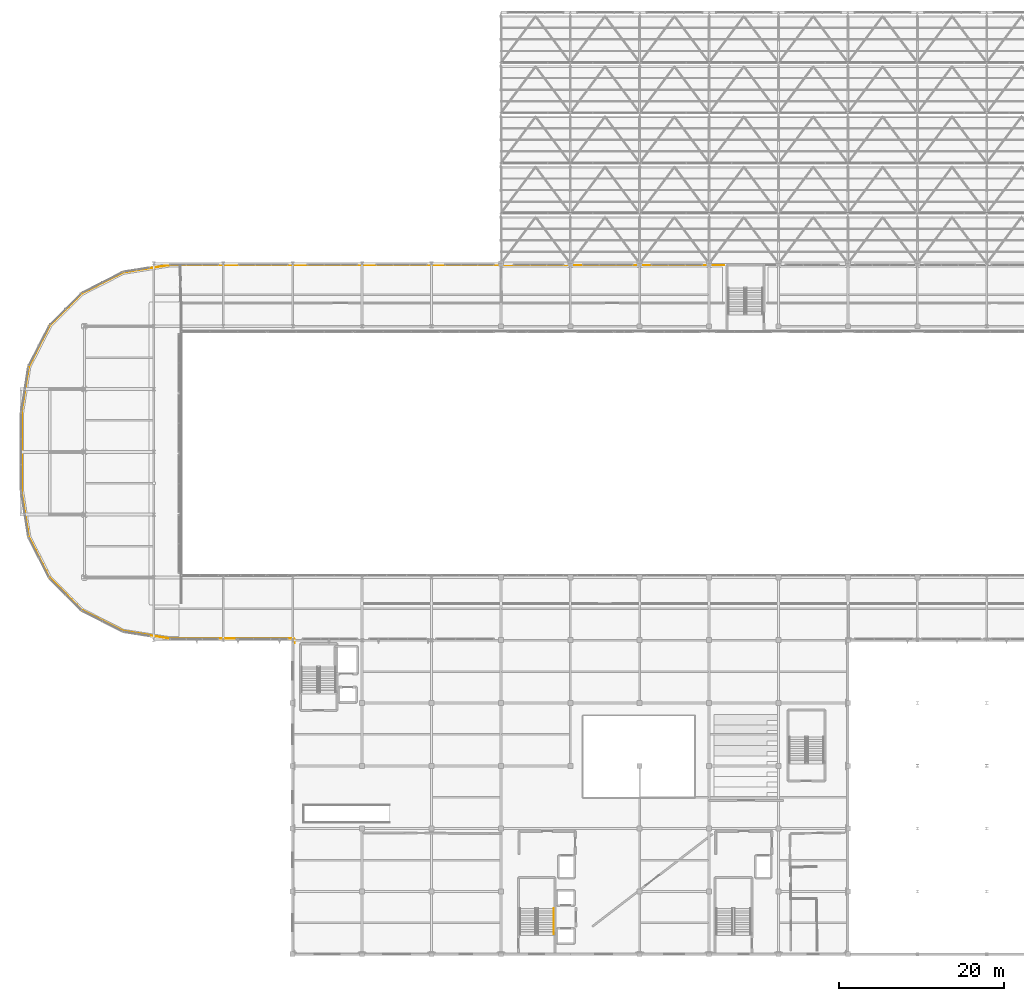
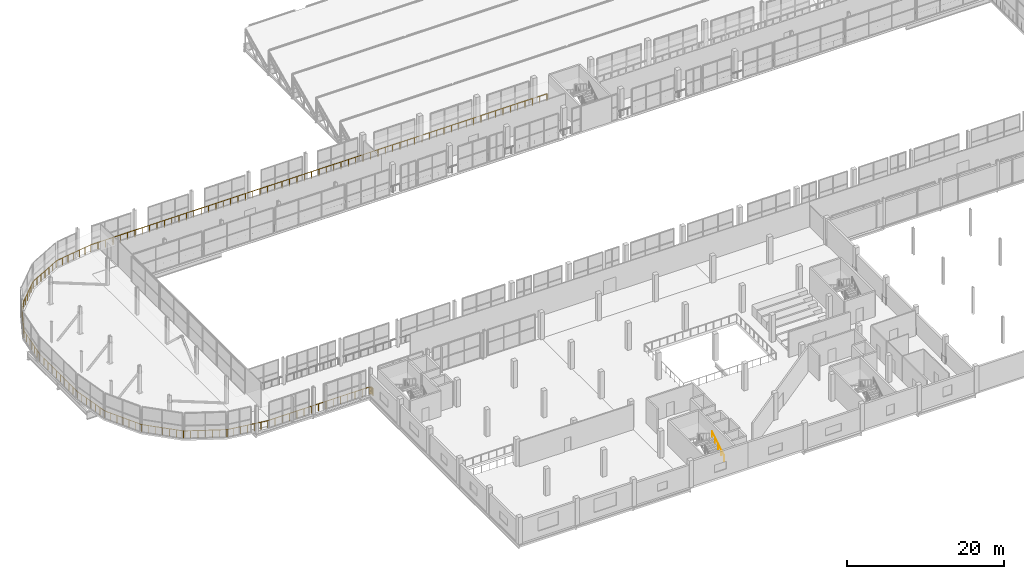
# One storey, part 207 of 217: 2 railings.
"""IFC4 building model written with IfcOpenShell, lengths in metres."""

from ifc_helpers import new_model, si_unit, direction, frame, origin, origin_2d, place, context, subcontext, project, spatial, circle, extrude, material, type_object, element, save


model = new_model("IFC4")

# Units and contexts
model_context = context("Model", 3, precision=1e-05, world=origin(), true_north=direction((0.0, 1.0)))
body_context = subcontext(model_context, "Body", "Model", "MODEL_VIEW")
ifc_project = project(units=[si_unit("LENGTHUNIT", "METRE"), si_unit("AREAUNIT", "SQUARE_METRE"), si_unit("VOLUMEUNIT", "CUBIC_METRE"), si_unit("PLANEANGLEUNIT", "RADIAN"), si_unit("MASSUNIT", "GRAM", prefix="KILO")], contexts=[model_context])

# Site, building, storey
site_placement = place(None, origin())
site = spatial("IfcSite", under=ifc_project, at=site_placement, CompositionType="ELEMENT")
building_placement = place(site_placement, origin())
building = spatial("IfcBuilding", under=site, at=building_placement, Name="Zuvorla Pavilion Media Centre", CompositionType="ELEMENT")
storey_placement = place(building_placement, frame((0.0, 0.0, 9.60009765625)))
storey = spatial("IfcBuildingStorey", under=building, at=storey_placement, Name="L02", CompositionType="ELEMENT", Elevation=9.60009765625)

# Railings
ifc_material_1 = material(Name="Powder-coated steel balustrade guard", Category="steel")
railing_type_1 = type_object("IfcRailingType", Name="RL-INT-GRD", PredefinedType="BALUSTRADE", material=ifc_material_1)
railing_1_placement = place(storey_placement, frame((41.820068359375, 43.67578125, 0.0)))
element("IfcRailing", 1, at=railing_1_placement, inside=storey, type_object=railing_type_1, Name="L02 slab edge guard 82", PredefinedType="BALUSTRADE", context=body_context, shape_type="SweptSolid", body=[
    extrude(circle(Radius=0.02392578125, at=origin_2d()), frame((0.0, 0.02880859375, 1.09619140625), z_axis=(0.0, 1.0, 0.0), x_axis=(-1.0, 0.0, 0.0)), (0.0, 0.0, 1.0), 0.2666015625),
    extrude(circle(Radius=0.02392578125, at=origin_2d()), frame((-0.000244140625, 0.327392578125, 1.09619140625), z_axis=(-0.056726690049, 0.998389744857, 0.0), x_axis=(-0.998389744857, -0.056726690049, 0.0)), (0.0, 0.0, 1.0), 0.02001953125),
    extrude(circle(Radius=0.02392578125, at=origin_2d()), frame((-0.001708984375, 0.348876953125, 1.09619140625), z_axis=(-0.135113204733, 0.990830168044, 0.0), x_axis=(-0.990830168044, -0.135113204733, 0.0)), (0.0, 0.0, 1.0), 0.02001953125),
    extrude(circle(Radius=0.02392578125, at=origin_2d()), frame((-0.0048828125, 0.370361328125, 1.09619140625), z_axis=(-0.247833249983, 0.968802704478, 0.0), x_axis=(-0.968802704478, -0.247833249983, 0.0)), (0.0, 0.0, 1.0), 0.02001953125),
    extrude(circle(Radius=0.02392578125, at=origin_2d()), frame((-0.0107421875, 0.39111328125, 1.09619140625), z_axis=(-0.339922884022, 0.940453312461, 0.0), x_axis=(-0.940453312461, -0.339922884022, 0.0)), (0.0, 0.0, 1.0), 0.02001953125),
    extrude(circle(Radius=0.02392578125, at=origin_2d()), frame((-0.018310546875, 0.411376953125, 1.09619140625), z_axis=(-0.429056814568, 0.903277504354, 0.0), x_axis=(-0.903277504354, -0.429056814568, 0.0)), (0.0, 0.0, 1.0), 0.02001953125),
    extrude(circle(Radius=0.02392578125, at=origin_2d()), frame((-0.02783203125, 0.4306640625, 1.09619140625), z_axis=(-0.509492006668, 0.860475389039, 0.0), x_axis=(-0.860475389039, -0.509492006668, 0.0)), (0.0, 0.0, 1.0), 0.02001953125),
    extrude(circle(Radius=0.02392578125, at=origin_2d()), frame((-0.0390625, 0.44921875, 1.09619140625), z_axis=(-0.598192606862, 0.801352360136, 0.0), x_axis=(-0.801352360136, -0.598192606862, 0.0)), (0.0, 0.0, 1.0), 0.02001953125),
    extrude(circle(Radius=0.02392578125, at=origin_2d()), frame((-0.05224609375, 0.46630859375, 1.09619140625), z_axis=(-0.672105592782, 0.740455314082, 0.0), x_axis=(-0.740455314082, -0.672105592782, 0.0)), (0.0, 0.0, 1.0), 0.02001953125),
    extrude(circle(Radius=0.02392578125, at=origin_2d()), frame((-0.06689453125, 0.48193359375, 1.09619140625), z_axis=(-0.739940073396, 0.672672793996, 0.0), x_axis=(-0.672672793996, -0.739940073396, 0.0)), (0.0, 0.0, 1.0), 0.02001953125),
    extrude(circle(Radius=0.02392578125, at=origin_2d()), frame((-0.083251953125, 0.496337890625, 1.09619140625), z_axis=(-0.806766093747, 0.590870941899, 0.0), x_axis=(-0.590870941899, -0.806766093747, 0.0)), (0.0, 0.0, 1.0), 0.02001953125),
    extrude(circle(Radius=0.02392578125, at=origin_2d()), frame((-0.1005859375, 0.5087890625, 1.09619140625), z_axis=(-0.855500079018, 0.517802679406, 0.0), x_axis=(-0.517802679406, -0.855500079018, 0.0)), (0.0, 0.0, 1.0), 0.02001953125),
    extrude(circle(Radius=0.02392578125, at=origin_2d()), frame((-0.119384765625, 0.519775390625, 1.09619140625), z_axis=(-0.903277504354, 0.429056814568, 0.0), x_axis=(-0.429056814568, -0.903277504354, 0.0)), (0.0, 0.0, 1.0), 0.02001953125),
    extrude(circle(Radius=0.02392578125, at=origin_2d()), frame((-0.138916015625, 0.528564453125, 1.09619140625), z_axis=(-0.94403554212, 0.329843743632, 0.0), x_axis=(-0.329843743632, -0.94403554212, 0.0)), (0.0, 0.0, 1.0), 0.02001953125),
    extrude(circle(Radius=0.02392578125, at=origin_2d()), frame((-0.159423828125, 0.535400390625, 1.09619140625), z_axis=(-0.968802704478, 0.247833249983, 0.0), x_axis=(-0.247833249983, -0.968802704478, 0.0)), (0.0, 0.0, 1.0), 0.02001953125),
    extrude(circle(Radius=0.02392578125, at=origin_2d()), frame((-0.180419921875, 0.54052734375, 1.09619140625), z_axis=(-0.989019580795, 0.147784535061, 0.0), x_axis=(-0.147784535061, -0.989019580795, 0.0)), (0.0, 0.0, 1.0), 0.02001953125),
    extrude(circle(Radius=0.02392578125, at=origin_2d()), frame((-0.20166015625, 0.54345703125, 1.09619140625), z_axis=(-0.99896854021, 0.045407660919, 0.0), x_axis=(-0.045407660919, -0.99896854021, 0.0)), (0.0, 0.0, 1.0), 0.02001953125),
    extrude(circle(Radius=0.02392578125, at=origin_2d()), frame((-0.248779296875, 0.544189453125, 1.09619140625), z_axis=(-1.0, 0.0, 0.0), x_axis=(0.0, -1.0, 0.0)), (0.0, 0.0, 1.0), 14.92529296875),
    extrude(circle(Radius=0.02392578125, at=origin_2d()), frame((-15.2314453125, 0.548583984375, 1.09619140625), z_axis=(-0.987688702887, 0.156432177602, 0.0), x_axis=(-0.156432177602, -0.987688702887, 0.0)), (0.0, 0.0, 1.0), 5.521728515625),
    extrude(circle(Radius=0.02392578125, at=origin_2d()), frame((-20.7392578125, 1.43017578125, 1.09619140625), z_axis=(-0.890994939299, 0.454013235647, 0.0), x_axis=(-0.454013235647, -0.890994939299, 0.0)), (0.0, 0.0, 1.0), 5.504150390625),
    extrude(circle(Radius=0.02392578125, at=origin_2d()), frame((-25.689697265625, 3.962646484375, 1.09619140625), z_axis=(-0.707106781187, 0.707106781187, 0.0), x_axis=(-0.707106781187, -0.707106781187, 0.0)), (0.0, 0.0, 1.0), 5.504150390625),
    extrude(circle(Radius=0.02392578125, at=origin_2d()), frame((-29.615234375, 7.900634765625, 1.09619140625), z_axis=(-0.453995479409, 0.891003986902, 0.0), x_axis=(-0.891003986902, -0.453995479409, 0.0)), (0.0, 0.0, 1.0), 5.50439453125),
    extrude(circle(Radius=0.02392578125, at=origin_2d()), frame((-32.131591796875, 12.859375, 1.09619140625), z_axis=(-0.156432177602, 0.987688702887, 0.0), x_axis=(-0.987688702887, -0.156432177602, 0.0)), (0.0, 0.0, 1.0), 5.521728515625),
    extrude(circle(Radius=0.02392578125, at=origin_2d()), frame((-33.0, 18.370361328125, 1.09619140625), z_axis=(0.0, 1.0, 0.0), x_axis=(-1.0, 0.0, 0.0)), (0.0, 0.0, 1.0), 9.5078125),
    extrude(circle(Radius=0.02392578125, at=origin_2d()), frame((-32.99560546875, 27.935546875, 1.09619140625), z_axis=(0.156432177602, 0.987688702887, 0.0), x_axis=(-0.987688702887, 0.156432177602, 0.0)), (0.0, 0.0, 1.0), 5.521728515625),
    extrude(circle(Radius=0.02392578125, at=origin_2d()), frame((-32.114013671875, 33.443359375, 1.09619140625), z_axis=(0.453995479409, 0.891003986902, 0.0), x_axis=(-0.891003986902, 0.453995479409, 0.0)), (0.0, 0.0, 1.0), 5.50439453125),
    extrude(circle(Radius=0.02392578125, at=origin_2d()), frame((-29.58154296875, 38.39404296875, 1.09619140625), z_axis=(0.707106781187, 0.707106781187, 0.0), x_axis=(-0.707106781187, 0.707106781187, 0.0)), (0.0, 0.0, 1.0), 5.504150390625),
    extrude(circle(Radius=0.02392578125, at=origin_2d()), frame((-25.6435546875, 42.319580078125, 1.09619140625), z_axis=(0.891012695814, 0.453978387039, 0.0), x_axis=(-0.453978387039, 0.891012695814, 0.0)), (0.0, 0.0, 1.0), 5.50390625),
    extrude(circle(Radius=0.02392578125, at=origin_2d()), frame((-20.68505859375, 44.835693359375, 1.09619140625), z_axis=(0.987688702887, 0.156432177602, 0.0), x_axis=(-0.156432177602, 0.987688702887, 0.0)), (0.0, 0.0, 1.0), 5.521728515625),
    extrude(circle(Radius=0.02392578125, at=origin_2d()), frame((-15.174072265625, 45.7041015625, 1.09619140625), z_axis=(1.0, 0.0, 0.0), x_axis=(0.0, 1.0, 0.0)), (0.0, 0.0, 1.0), 67.165283203125),
    extrude(circle(Radius=0.02099609375, at=origin_2d()), origin(), (0.0, 0.0, 1.0), 1.070068359375),
    extrude(circle(Radius=0.02099609375, at=origin_2d()), frame((0.0, 0.32421875, 0.0)), (0.0, 0.0, 1.0), 1.070068359375),
    extrude(circle(Radius=0.02099609375, at=origin_2d()), frame((-0.001220703125, 0.345703125, 0.0)), (0.0, 0.0, 1.0), 1.070068359375),
    extrude(circle(Radius=0.02099609375, at=origin_2d()), frame((-0.004150390625, 0.3671875, 0.0)), (0.0, 0.0, 1.0), 1.070068359375),
    extrude(circle(Radius=0.02099609375, at=origin_2d()), frame((-0.009521484375, 0.38818359375, 0.0)), (0.0, 0.0, 1.0), 1.070068359375),
    extrude(circle(Radius=0.02099609375, at=origin_2d()), frame((-0.016845703125, 0.408447265625, 0.0)), (0.0, 0.0, 1.0), 1.070068359375),
    extrude(circle(Radius=0.02099609375, at=origin_2d()), frame((-0.026123046875, 0.427978515625, 0.0)), (0.0, 0.0, 1.0), 1.070068359375),
    extrude(circle(Radius=0.02099609375, at=origin_2d()), frame((-0.037109375, 0.446533203125, 0.0)), (0.0, 0.0, 1.0), 1.070068359375),
    extrude(circle(Radius=0.02099609375, at=origin_2d()), frame((-0.050048828125, 0.4638671875, 0.0)), (0.0, 0.0, 1.0), 1.070068359375),
    extrude(circle(Radius=0.02099609375, at=origin_2d()), frame((-0.064453125, 0.479736328125, 0.0)), (0.0, 0.0, 1.0), 1.070068359375),
    extrude(circle(Radius=0.02099609375, at=origin_2d()), frame((-0.08056640625, 0.494384765625, 0.0)), (0.0, 0.0, 1.0), 1.070068359375),
    extrude(circle(Radius=0.02099609375, at=origin_2d()), frame((-0.097900390625, 0.507080078125, 0.0)), (0.0, 0.0, 1.0), 1.070068359375),
    extrude(circle(Radius=0.02099609375, at=origin_2d()), frame((-0.116455078125, 0.518310546875, 0.0)), (0.0, 0.0, 1.0), 1.070068359375),
    extrude(circle(Radius=0.02099609375, at=origin_2d()), frame((-0.135986328125, 0.527587890625, 0.0)), (0.0, 0.0, 1.0), 1.070068359375),
    extrude(circle(Radius=0.02099609375, at=origin_2d()), frame((-0.15625, 0.53466796875, 0.0)), (0.0, 0.0, 1.0), 1.070068359375),
    extrude(circle(Radius=0.02099609375, at=origin_2d()), frame((-0.17724609375, 0.5400390625, 0.0)), (0.0, 0.0, 1.0), 1.070068359375),
    extrude(circle(Radius=0.02099609375, at=origin_2d()), frame((-0.198486328125, 0.543212890625, 0.0)), (0.0, 0.0, 1.0), 1.070068359375),
    extrude(circle(Radius=0.02099609375, at=origin_2d()), frame((-0.219970703125, 0.544189453125, 0.0)), (0.0, 0.0, 1.0), 1.070068359375),
    extrude(circle(Radius=0.02099609375, at=origin_2d()), frame((-1.290283203125, 0.544189453125, 0.0)), (0.0, 0.0, 1.0), 1.070068359375),
    extrude(circle(Radius=0.02099609375, at=origin_2d()), frame((-2.3603515625, 0.544189453125, 0.0)), (0.0, 0.0, 1.0), 1.070068359375),
    extrude(circle(Radius=0.02099609375, at=origin_2d()), frame((-3.4306640625, 0.544189453125, 0.0)), (0.0, 0.0, 1.0), 1.070068359375),
    extrude(circle(Radius=0.02099609375, at=origin_2d()), frame((-4.500732421875, 0.544189453125, 0.0)), (0.0, 0.0, 1.0), 1.070068359375),
    extrude(circle(Radius=0.02099609375, at=origin_2d()), frame((-5.571044921875, 0.544189453125, 0.0)), (0.0, 0.0, 1.0), 1.070068359375),
    extrude(circle(Radius=0.02099609375, at=origin_2d()), frame((-6.64111328125, 0.544189453125, 0.0)), (0.0, 0.0, 1.0), 1.070068359375),
    extrude(circle(Radius=0.02099609375, at=origin_2d()), frame((-7.71142578125, 0.544189453125, 0.0)), (0.0, 0.0, 1.0), 1.070068359375),
    extrude(circle(Radius=0.02099609375, at=origin_2d()), frame((-8.78173828125, 0.544189453125, 0.0)), (0.0, 0.0, 1.0), 1.070068359375),
    extrude(circle(Radius=0.02099609375, at=origin_2d()), frame((-9.851806640625, 0.544189453125, 0.0)), (0.0, 0.0, 1.0), 1.070068359375),
    extrude(circle(Radius=0.02099609375, at=origin_2d()), frame((-10.922119140625, 0.544189453125, 0.0)), (0.0, 0.0, 1.0), 1.070068359375),
    extrude(circle(Radius=0.02099609375, at=origin_2d()), frame((-11.9921875, 0.544189453125, 0.0)), (0.0, 0.0, 1.0), 1.070068359375),
    extrude(circle(Radius=0.02099609375, at=origin_2d()), frame((-13.0625, 0.544189453125, 0.0)), (0.0, 0.0, 1.0), 1.070068359375),
    extrude(circle(Radius=0.02099609375, at=origin_2d()), frame((-14.132568359375, 0.544189453125, 0.0)), (0.0, 0.0, 1.0), 1.070068359375),
    extrude(circle(Radius=0.02099609375, at=origin_2d()), frame((-15.202880859375, 0.544189453125, 0.0)), (0.0, 0.0, 1.0), 1.070068359375),
    extrude(circle(Radius=0.02099609375, at=origin_2d()), frame((-16.121337890625, 0.689697265625, 0.0)), (0.0, 0.0, 1.0), 1.070068359375),
    extrude(circle(Radius=0.02099609375, at=origin_2d()), frame((-17.039794921875, 0.835205078125, 0.0)), (0.0, 0.0, 1.0), 1.070068359375),
    extrude(circle(Radius=0.02099609375, at=origin_2d()), frame((-17.958251953125, 0.98046875, 0.0)), (0.0, 0.0, 1.0), 1.070068359375),
    extrude(circle(Radius=0.02099609375, at=origin_2d()), frame((-18.876708984375, 1.1259765625, 0.0)), (0.0, 0.0, 1.0), 1.070068359375),
    extrude(circle(Radius=0.02099609375, at=origin_2d()), frame((-19.795166015625, 1.271484375, 0.0)), (0.0, 0.0, 1.0), 1.070068359375),
    extrude(circle(Radius=0.02099609375, at=origin_2d()), frame((-20.713623046875, 1.4169921875, 0.0)), (0.0, 0.0, 1.0), 1.070068359375),
    extrude(circle(Radius=0.02099609375, at=origin_2d()), frame((-21.53955078125, 1.837890625, 0.0)), (0.0, 0.0, 1.0), 1.070068359375),
    extrude(circle(Radius=0.02099609375, at=origin_2d()), frame((-22.365478515625, 2.2587890625, 0.0)), (0.0, 0.0, 1.0), 1.070068359375),
    extrude(circle(Radius=0.02099609375, at=origin_2d()), frame((-23.19140625, 2.6796875, 0.0)), (0.0, 0.0, 1.0), 1.070068359375),
    extrude(circle(Radius=0.02099609375, at=origin_2d()), frame((-24.017333984375, 3.100341796875, 0.0)), (0.0, 0.0, 1.0), 1.070068359375),
    extrude(circle(Radius=0.02099609375, at=origin_2d()), frame((-24.84326171875, 3.521240234375, 0.0)), (0.0, 0.0, 1.0), 1.070068359375),
    extrude(circle(Radius=0.02099609375, at=origin_2d()), frame((-25.669189453125, 3.942138671875, 0.0)), (0.0, 0.0, 1.0), 1.070068359375),
    extrude(circle(Radius=0.02099609375, at=origin_2d()), frame((-26.32470703125, 4.59765625, 0.0)), (0.0, 0.0, 1.0), 1.070068359375),
    extrude(circle(Radius=0.02099609375, at=origin_2d()), frame((-26.980224609375, 5.253173828125, 0.0)), (0.0, 0.0, 1.0), 1.070068359375),
    extrude(circle(Radius=0.02099609375, at=origin_2d()), frame((-27.6357421875, 5.90869140625, 0.0)), (0.0, 0.0, 1.0), 1.070068359375),
    extrude(circle(Radius=0.02099609375, at=origin_2d()), frame((-28.291015625, 6.56396484375, 0.0)), (0.0, 0.0, 1.0), 1.070068359375),
    extrude(circle(Radius=0.02099609375, at=origin_2d()), frame((-28.946533203125, 7.219482421875, 0.0)), (0.0, 0.0, 1.0), 1.070068359375),
    extrude(circle(Radius=0.02099609375, at=origin_2d()), frame((-29.60205078125, 7.875, 0.0)), (0.0, 0.0, 1.0), 1.070068359375),
    extrude(circle(Radius=0.02099609375, at=origin_2d()), frame((-30.02294921875, 8.700927734375, 0.0)), (0.0, 0.0, 1.0), 1.070068359375),
    extrude(circle(Radius=0.02099609375, at=origin_2d()), frame((-30.44384765625, 9.52685546875, 0.0)), (0.0, 0.0, 1.0), 1.070068359375),
    extrude(circle(Radius=0.02099609375, at=origin_2d()), frame((-30.86474609375, 10.35302734375, 0.0)), (0.0, 0.0, 1.0), 1.070068359375),
    extrude(circle(Radius=0.02099609375, at=origin_2d()), frame((-31.285400390625, 11.178955078125, 0.0)), (0.0, 0.0, 1.0), 1.070068359375),
    extrude(circle(Radius=0.02099609375, at=origin_2d()), frame((-31.706298828125, 12.0048828125, 0.0)), (0.0, 0.0, 1.0), 1.070068359375),
    extrude(circle(Radius=0.02099609375, at=origin_2d()), frame((-32.127197265625, 12.830810546875, 0.0)), (0.0, 0.0, 1.0), 1.070068359375),
    extrude(circle(Radius=0.02099609375, at=origin_2d()), frame((-32.272705078125, 13.749267578125, 0.0)), (0.0, 0.0, 1.0), 1.070068359375),
    extrude(circle(Radius=0.02099609375, at=origin_2d()), frame((-32.418212890625, 14.667724609375, 0.0)), (0.0, 0.0, 1.0), 1.070068359375),
    extrude(circle(Radius=0.02099609375, at=origin_2d()), frame((-32.5634765625, 15.586181640625, 0.0)), (0.0, 0.0, 1.0), 1.070068359375),
    extrude(circle(Radius=0.02099609375, at=origin_2d()), frame((-32.708984375, 16.504638671875, 0.0)), (0.0, 0.0, 1.0), 1.070068359375),
    extrude(circle(Radius=0.02099609375, at=origin_2d()), frame((-32.8544921875, 17.423095703125, 0.0)), (0.0, 0.0, 1.0), 1.070068359375),
    extrude(circle(Radius=0.02099609375, at=origin_2d()), frame((-33.0, 18.341552734375, 0.0)), (0.0, 0.0, 1.0), 1.070068359375),
    extrude(circle(Radius=0.02099609375, at=origin_2d()), frame((-33.0, 19.404296875, 0.0)), (0.0, 0.0, 1.0), 1.070068359375),
    extrude(circle(Radius=0.02099609375, at=origin_2d()), frame((-33.0, 20.46728515625, 0.0)), (0.0, 0.0, 1.0), 1.070068359375),
    extrude(circle(Radius=0.02099609375, at=origin_2d()), frame((-33.0, 21.530029296875, 0.0)), (0.0, 0.0, 1.0), 1.070068359375),
    extrude(circle(Radius=0.02099609375, at=origin_2d()), frame((-33.0, 22.5927734375, 0.0)), (0.0, 0.0, 1.0), 1.070068359375),
    extrude(circle(Radius=0.02099609375, at=origin_2d()), frame((-33.0, 23.65576171875, 0.0)), (0.0, 0.0, 1.0), 1.070068359375),
    extrude(circle(Radius=0.02099609375, at=origin_2d()), frame((-33.0, 24.718505859375, 0.0)), (0.0, 0.0, 1.0), 1.070068359375),
    extrude(circle(Radius=0.02099609375, at=origin_2d()), frame((-33.0, 25.78125, 0.0)), (0.0, 0.0, 1.0), 1.070068359375),
    extrude(circle(Radius=0.02099609375, at=origin_2d()), frame((-33.0, 26.84423828125, 0.0)), (0.0, 0.0, 1.0), 1.070068359375),
    extrude(circle(Radius=0.02099609375, at=origin_2d()), frame((-33.0, 27.906982421875, 0.0)), (0.0, 0.0, 1.0), 1.070068359375),
    extrude(circle(Radius=0.02099609375, at=origin_2d()), frame((-32.8544921875, 28.825439453125, 0.0)), (0.0, 0.0, 1.0), 1.070068359375),
    extrude(circle(Radius=0.02099609375, at=origin_2d()), frame((-32.708984375, 29.743896484375, 0.0)), (0.0, 0.0, 1.0), 1.070068359375),
    extrude(circle(Radius=0.02099609375, at=origin_2d()), frame((-32.5634765625, 30.662353515625, 0.0)), (0.0, 0.0, 1.0), 1.070068359375),
    extrude(circle(Radius=0.02099609375, at=origin_2d()), frame((-32.418212890625, 31.580810546875, 0.0)), (0.0, 0.0, 1.0), 1.070068359375),
    extrude(circle(Radius=0.02099609375, at=origin_2d()), frame((-32.272705078125, 32.499267578125, 0.0)), (0.0, 0.0, 1.0), 1.070068359375),
    extrude(circle(Radius=0.02099609375, at=origin_2d()), frame((-32.127197265625, 33.417724609375, 0.0)), (0.0, 0.0, 1.0), 1.070068359375),
    extrude(circle(Radius=0.02099609375, at=origin_2d()), frame((-31.706298828125, 34.24365234375, 0.0)), (0.0, 0.0, 1.0), 1.070068359375),
    extrude(circle(Radius=0.02099609375, at=origin_2d()), frame((-31.285400390625, 35.069580078125, 0.0)), (0.0, 0.0, 1.0), 1.070068359375),
    extrude(circle(Radius=0.02099609375, at=origin_2d()), frame((-30.86474609375, 35.8955078125, 0.0)), (0.0, 0.0, 1.0), 1.070068359375),
    extrude(circle(Radius=0.02099609375, at=origin_2d()), frame((-30.44384765625, 36.7216796875, 0.0)), (0.0, 0.0, 1.0), 1.070068359375),
    extrude(circle(Radius=0.02099609375, at=origin_2d()), frame((-30.02294921875, 37.547607421875, 0.0)), (0.0, 0.0, 1.0), 1.070068359375),
    extrude(circle(Radius=0.02099609375, at=origin_2d()), frame((-29.60205078125, 38.37353515625, 0.0)), (0.0, 0.0, 1.0), 1.070068359375),
    extrude(circle(Radius=0.02099609375, at=origin_2d()), frame((-28.946533203125, 39.029052734375, 0.0)), (0.0, 0.0, 1.0), 1.070068359375),
    extrude(circle(Radius=0.02099609375, at=origin_2d()), frame((-28.291015625, 39.6845703125, 0.0)), (0.0, 0.0, 1.0), 1.070068359375),
    extrude(circle(Radius=0.02099609375, at=origin_2d()), frame((-27.6357421875, 40.33984375, 0.0)), (0.0, 0.0, 1.0), 1.070068359375),
    extrude(circle(Radius=0.02099609375, at=origin_2d()), frame((-26.980224609375, 40.995361328125, 0.0)), (0.0, 0.0, 1.0), 1.070068359375),
    extrude(circle(Radius=0.02099609375, at=origin_2d()), frame((-26.32470703125, 41.65087890625, 0.0)), (0.0, 0.0, 1.0), 1.070068359375),
    extrude(circle(Radius=0.02099609375, at=origin_2d()), frame((-25.669189453125, 42.306396484375, 0.0)), (0.0, 0.0, 1.0), 1.070068359375),
    extrude(circle(Radius=0.02099609375, at=origin_2d()), frame((-24.84326171875, 42.727294921875, 0.0)), (0.0, 0.0, 1.0), 1.070068359375),
    extrude(circle(Radius=0.02099609375, at=origin_2d()), frame((-24.017333984375, 43.14794921875, 0.0)), (0.0, 0.0, 1.0), 1.070068359375),
    extrude(circle(Radius=0.02099609375, at=origin_2d()), frame((-23.19140625, 43.56884765625, 0.0)), (0.0, 0.0, 1.0), 1.070068359375),
    extrude(circle(Radius=0.02099609375, at=origin_2d()), frame((-22.365478515625, 43.98974609375, 0.0)), (0.0, 0.0, 1.0), 1.070068359375),
    extrude(circle(Radius=0.02099609375, at=origin_2d()), frame((-21.53955078125, 44.410400390625, 0.0)), (0.0, 0.0, 1.0), 1.070068359375),
    extrude(circle(Radius=0.02099609375, at=origin_2d()), frame((-20.713623046875, 44.831298828125, 0.0)), (0.0, 0.0, 1.0), 1.070068359375),
    extrude(circle(Radius=0.02099609375, at=origin_2d()), frame((-19.795166015625, 44.976806640625, 0.0)), (0.0, 0.0, 1.0), 1.070068359375),
    extrude(circle(Radius=0.02099609375, at=origin_2d()), frame((-18.876708984375, 45.122314453125, 0.0)), (0.0, 0.0, 1.0), 1.070068359375),
    extrude(circle(Radius=0.02099609375, at=origin_2d()), frame((-17.958251953125, 45.267578125, 0.0)), (0.0, 0.0, 1.0), 1.070068359375),
    extrude(circle(Radius=0.02099609375, at=origin_2d()), frame((-17.039794921875, 45.4130859375, 0.0)), (0.0, 0.0, 1.0), 1.070068359375),
    extrude(circle(Radius=0.02099609375, at=origin_2d()), frame((-16.121337890625, 45.55859375, 0.0)), (0.0, 0.0, 1.0), 1.070068359375),
    extrude(circle(Radius=0.02099609375, at=origin_2d()), frame((-15.202880859375, 45.7041015625, 0.0)), (0.0, 0.0, 1.0), 1.070068359375),
    extrude(circle(Radius=0.02099609375, at=origin_2d()), frame((-14.11865234375, 45.7041015625, 0.0)), (0.0, 0.0, 1.0), 1.070068359375),
    extrude(circle(Radius=0.02099609375, at=origin_2d()), frame((-13.034423828125, 45.7041015625, 0.0)), (0.0, 0.0, 1.0), 1.070068359375),
    extrude(circle(Radius=0.02099609375, at=origin_2d()), frame((-11.9501953125, 45.7041015625, 0.0)), (0.0, 0.0, 1.0), 1.070068359375),
    extrude(circle(Radius=0.02099609375, at=origin_2d()), frame((-10.865966796875, 45.7041015625, 0.0)), (0.0, 0.0, 1.0), 1.070068359375),
    extrude(circle(Radius=0.02099609375, at=origin_2d()), frame((-9.78173828125, 45.7041015625, 0.0)), (0.0, 0.0, 1.0), 1.070068359375),
    extrude(circle(Radius=0.02099609375, at=origin_2d()), frame((-8.697509765625, 45.7041015625, 0.0)), (0.0, 0.0, 1.0), 1.070068359375),
    extrude(circle(Radius=0.02099609375, at=origin_2d()), frame((-7.61328125, 45.7041015625, 0.0)), (0.0, 0.0, 1.0), 1.070068359375),
    extrude(circle(Radius=0.02099609375, at=origin_2d()), frame((-6.529052734375, 45.7041015625, 0.0)), (0.0, 0.0, 1.0), 1.070068359375),
    extrude(circle(Radius=0.02099609375, at=origin_2d()), frame((-5.44482421875, 45.7041015625, 0.0)), (0.0, 0.0, 1.0), 1.070068359375),
    extrude(circle(Radius=0.02099609375, at=origin_2d()), frame((-4.360595703125, 45.7041015625, 0.0)), (0.0, 0.0, 1.0), 1.070068359375),
    extrude(circle(Radius=0.02099609375, at=origin_2d()), frame((-3.276123046875, 45.7041015625, 0.0)), (0.0, 0.0, 1.0), 1.070068359375),
    extrude(circle(Radius=0.02099609375, at=origin_2d()), frame((-2.19189453125, 45.7041015625, 0.0)), (0.0, 0.0, 1.0), 1.070068359375),
    extrude(circle(Radius=0.02099609375, at=origin_2d()), frame((-1.107666015625, 45.7041015625, 0.0)), (0.0, 0.0, 1.0), 1.070068359375),
    extrude(circle(Radius=0.02099609375, at=origin_2d()), frame((-0.0234375, 45.7041015625, 0.0)), (0.0, 0.0, 1.0), 1.070068359375),
    extrude(circle(Radius=0.02099609375, at=origin_2d()), frame((1.060791015625, 45.7041015625, 0.0)), (0.0, 0.0, 1.0), 1.070068359375),
    extrude(circle(Radius=0.02099609375, at=origin_2d()), frame((2.14501953125, 45.7041015625, 0.0)), (0.0, 0.0, 1.0), 1.070068359375),
    extrude(circle(Radius=0.02099609375, at=origin_2d()), frame((3.229248046875, 45.7041015625, 0.0)), (0.0, 0.0, 1.0), 1.070068359375),
    extrude(circle(Radius=0.02099609375, at=origin_2d()), frame((4.3134765625, 45.7041015625, 0.0)), (0.0, 0.0, 1.0), 1.070068359375),
    extrude(circle(Radius=0.02099609375, at=origin_2d()), frame((5.397705078125, 45.7041015625, 0.0)), (0.0, 0.0, 1.0), 1.070068359375),
    extrude(circle(Radius=0.02099609375, at=origin_2d()), frame((6.48193359375, 45.7041015625, 0.0)), (0.0, 0.0, 1.0), 1.070068359375),
    extrude(circle(Radius=0.02099609375, at=origin_2d()), frame((7.566162109375, 45.7041015625, 0.0)), (0.0, 0.0, 1.0), 1.070068359375),
    extrude(circle(Radius=0.02099609375, at=origin_2d()), frame((8.650390625, 45.7041015625, 0.0)), (0.0, 0.0, 1.0), 1.070068359375),
    extrude(circle(Radius=0.02099609375, at=origin_2d()), frame((9.734619140625, 45.7041015625, 0.0)), (0.0, 0.0, 1.0), 1.070068359375),
    extrude(circle(Radius=0.02099609375, at=origin_2d()), frame((10.81884765625, 45.7041015625, 0.0)), (0.0, 0.0, 1.0), 1.070068359375),
    extrude(circle(Radius=0.02099609375, at=origin_2d()), frame((11.903076171875, 45.7041015625, 0.0)), (0.0, 0.0, 1.0), 1.070068359375),
    extrude(circle(Radius=0.02099609375, at=origin_2d()), frame((12.9873046875, 45.7041015625, 0.0)), (0.0, 0.0, 1.0), 1.070068359375),
    extrude(circle(Radius=0.02099609375, at=origin_2d()), frame((14.071533203125, 45.7041015625, 0.0)), (0.0, 0.0, 1.0), 1.070068359375),
    extrude(circle(Radius=0.02099609375, at=origin_2d()), frame((15.15576171875, 45.7041015625, 0.0)), (0.0, 0.0, 1.0), 1.070068359375),
    extrude(circle(Radius=0.02099609375, at=origin_2d()), frame((16.239990234375, 45.7041015625, 0.0)), (0.0, 0.0, 1.0), 1.070068359375),
    extrude(circle(Radius=0.02099609375, at=origin_2d()), frame((17.32421875, 45.7041015625, 0.0)), (0.0, 0.0, 1.0), 1.070068359375),
    extrude(circle(Radius=0.02099609375, at=origin_2d()), frame((18.40869140625, 45.7041015625, 0.0)), (0.0, 0.0, 1.0), 1.070068359375),
    extrude(circle(Radius=0.02099609375, at=origin_2d()), frame((19.492919921875, 45.7041015625, 0.0)), (0.0, 0.0, 1.0), 1.070068359375),
    extrude(circle(Radius=0.02099609375, at=origin_2d()), frame((20.5771484375, 45.7041015625, 0.0)), (0.0, 0.0, 1.0), 1.070068359375),
    extrude(circle(Radius=0.02099609375, at=origin_2d()), frame((21.661376953125, 45.7041015625, 0.0)), (0.0, 0.0, 1.0), 1.070068359375),
    extrude(circle(Radius=0.02099609375, at=origin_2d()), frame((22.74560546875, 45.7041015625, 0.0)), (0.0, 0.0, 1.0), 1.070068359375),
    extrude(circle(Radius=0.02099609375, at=origin_2d()), frame((23.829833984375, 45.7041015625, 0.0)), (0.0, 0.0, 1.0), 1.070068359375),
    extrude(circle(Radius=0.02099609375, at=origin_2d()), frame((24.9140625, 45.7041015625, 0.0)), (0.0, 0.0, 1.0), 1.070068359375),
    extrude(circle(Radius=0.02099609375, at=origin_2d()), frame((25.998291015625, 45.7041015625, 0.0)), (0.0, 0.0, 1.0), 1.070068359375),
    extrude(circle(Radius=0.02099609375, at=origin_2d()), frame((27.08251953125, 45.7041015625, 0.0)), (0.0, 0.0, 1.0), 1.070068359375),
    extrude(circle(Radius=0.02099609375, at=origin_2d()), frame((28.166748046875, 45.7041015625, 0.0)), (0.0, 0.0, 1.0), 1.070068359375),
    extrude(circle(Radius=0.02099609375, at=origin_2d()), frame((29.2509765625, 45.7041015625, 0.0)), (0.0, 0.0, 1.0), 1.070068359375),
    extrude(circle(Radius=0.02099609375, at=origin_2d()), frame((30.335205078125, 45.7041015625, 0.0)), (0.0, 0.0, 1.0), 1.070068359375),
    extrude(circle(Radius=0.02099609375, at=origin_2d()), frame((31.41943359375, 45.7041015625, 0.0)), (0.0, 0.0, 1.0), 1.070068359375),
    extrude(circle(Radius=0.02099609375, at=origin_2d()), frame((32.503662109375, 45.7041015625, 0.0)), (0.0, 0.0, 1.0), 1.070068359375),
    extrude(circle(Radius=0.02099609375, at=origin_2d()), frame((33.587890625, 45.7041015625, 0.0)), (0.0, 0.0, 1.0), 1.070068359375),
    extrude(circle(Radius=0.02099609375, at=origin_2d()), frame((34.672119140625, 45.7041015625, 0.0)), (0.0, 0.0, 1.0), 1.070068359375),
    extrude(circle(Radius=0.02099609375, at=origin_2d()), frame((35.75634765625, 45.7041015625, 0.0)), (0.0, 0.0, 1.0), 1.070068359375),
    extrude(circle(Radius=0.02099609375, at=origin_2d()), frame((36.840576171875, 45.7041015625, 0.0)), (0.0, 0.0, 1.0), 1.070068359375),
    extrude(circle(Radius=0.02099609375, at=origin_2d()), frame((37.9248046875, 45.7041015625, 0.0)), (0.0, 0.0, 1.0), 1.070068359375),
    extrude(circle(Radius=0.02099609375, at=origin_2d()), frame((39.009033203125, 45.7041015625, 0.0)), (0.0, 0.0, 1.0), 1.070068359375),
    extrude(circle(Radius=0.02099609375, at=origin_2d()), frame((40.09326171875, 45.7041015625, 0.0)), (0.0, 0.0, 1.0), 1.070068359375),
    extrude(circle(Radius=0.02099609375, at=origin_2d()), frame((41.177734375, 45.7041015625, 0.0)), (0.0, 0.0, 1.0), 1.070068359375),
    extrude(circle(Radius=0.02099609375, at=origin_2d()), frame((42.261962890625, 45.7041015625, 0.0)), (0.0, 0.0, 1.0), 1.070068359375),
    extrude(circle(Radius=0.02099609375, at=origin_2d()), frame((43.34619140625, 45.7041015625, 0.0)), (0.0, 0.0, 1.0), 1.070068359375),
    extrude(circle(Radius=0.02099609375, at=origin_2d()), frame((44.430419921875, 45.7041015625, 0.0)), (0.0, 0.0, 1.0), 1.070068359375),
    extrude(circle(Radius=0.02099609375, at=origin_2d()), frame((45.5146484375, 45.7041015625, 0.0)), (0.0, 0.0, 1.0), 1.070068359375),
    extrude(circle(Radius=0.02099609375, at=origin_2d()), frame((46.598876953125, 45.7041015625, 0.0)), (0.0, 0.0, 1.0), 1.070068359375),
    extrude(circle(Radius=0.02099609375, at=origin_2d()), frame((47.68310546875, 45.7041015625, 0.0)), (0.0, 0.0, 1.0), 1.070068359375),
    extrude(circle(Radius=0.02099609375, at=origin_2d()), frame((48.767333984375, 45.7041015625, 0.0)), (0.0, 0.0, 1.0), 1.070068359375),
    extrude(circle(Radius=0.02099609375, at=origin_2d()), frame((49.8515625, 45.7041015625, 0.0)), (0.0, 0.0, 1.0), 1.070068359375),
    extrude(circle(Radius=0.02099609375, at=origin_2d()), frame((50.935791015625, 45.7041015625, 0.0)), (0.0, 0.0, 1.0), 1.070068359375),
    extrude(circle(Radius=0.02099609375, at=origin_2d()), frame((52.02001953125, 45.7041015625, 0.0)), (0.0, 0.0, 1.0), 1.070068359375),
])
ifc_material_2 = material(Name="Brushed stainless steel tubular handrail", Category="steel")
railing_type_2 = type_object("IfcRailingType", Name="RL-INT-HND", PredefinedType="HANDRAIL", material=ifc_material_2)
railing_2_placement = place(storey_placement, frame((73.199951171875, 8.449951171875, 0.1748046875)))
element("IfcRailing", 2, at=railing_2_placement, inside=storey, type_object=railing_type_2, Name="L02 ST-01 handrail 1", PredefinedType="HANDRAIL", context=body_context, shape_type="SweptSolid", body=[
    extrude(circle(Radius=0.02392578125, at=origin_2d()), frame((0.0, 0.0244140625, 0.89111328125), z_axis=(0.0, 0.847998304005, 0.529998940003), x_axis=(-1.0, 0.0, 0.0)), (0.0, 0.0, 1.0), 3.574462890625),
    extrude(circle(Radius=0.02099609375, at=origin_2d()), origin(), (0.0, 0.0, 1.0), 0.849853515625),
    extrude(circle(Radius=0.02099609375, at=origin_2d()), frame((0.0, 0.77001953125, 0.481201171875)), (0.0, 0.0, 1.0), 0.849853515625),
    extrude(circle(Radius=0.02099609375, at=origin_2d()), frame((0.0, 1.5400390625, 0.96240234375)), (0.0, 0.0, 1.0), 0.849853515625),
    extrude(circle(Radius=0.02099609375, at=origin_2d()), frame((0.0, 2.31005859375, 1.44384765625)), (0.0, 0.0, 1.0), 0.849853515625),
    extrude(circle(Radius=0.02099609375, at=origin_2d()), frame((0.0, 3.080078125, 1.925048828125)), (0.0, 0.0, 1.0), 0.849853515625),
])

save(model, "model.ifc")
